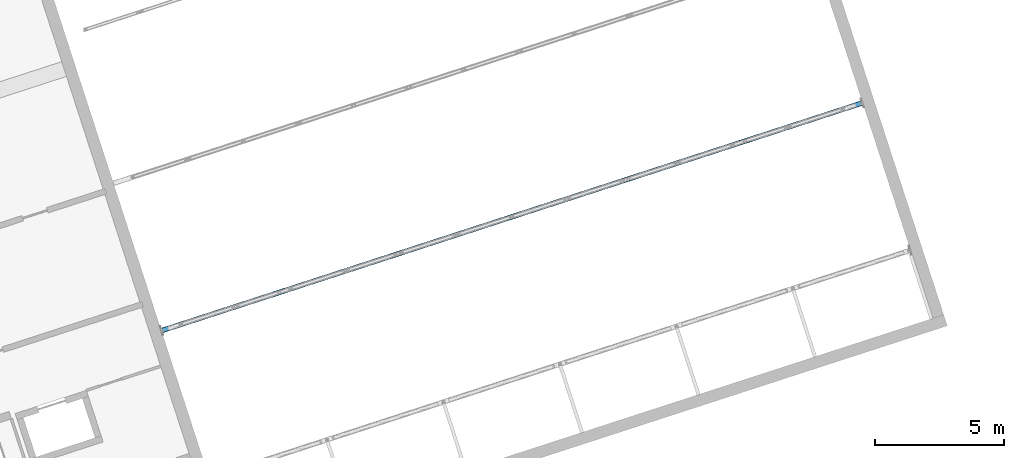
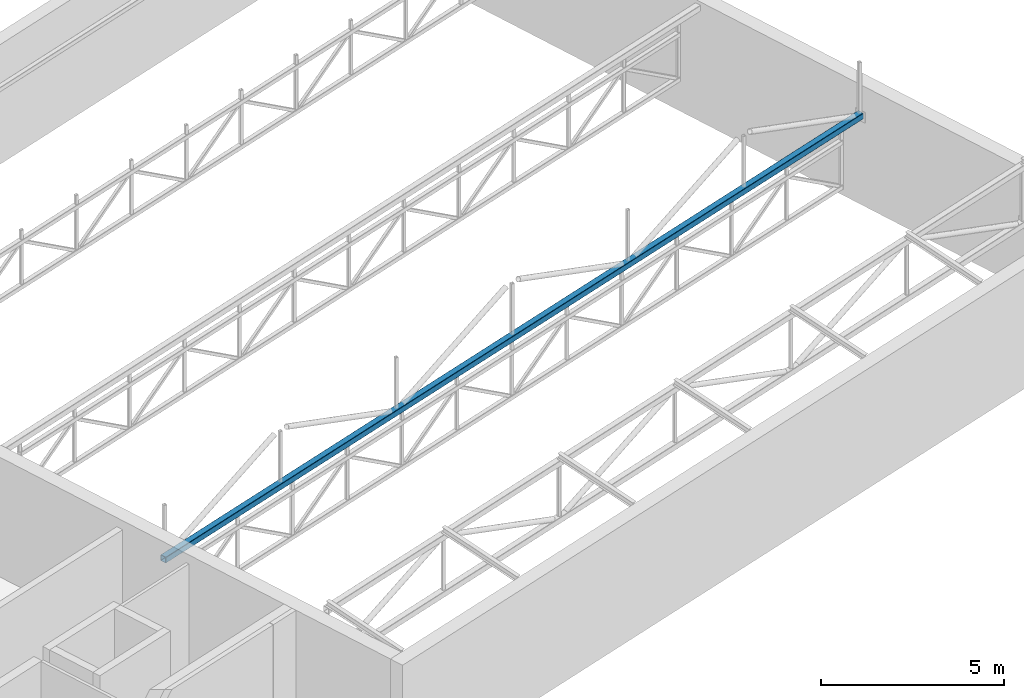
# One storey, part 12 of 81: 1 member.
"""IFC4 building model written with IfcOpenShell, lengths in metres."""

from ifc_helpers import new_model, si_unit, direction, frame, origin, origin_2d, place, context, subcontext, project, spatial, hollow_rectangle, extrude, material, material_profile, profile_set, type_object, element, save


model = new_model("IFC4")

# Units and contexts
model_context = context("Model", 3, precision=1e-05, world=origin(), true_north=direction((0.0, 1.0)))
body_context = subcontext(model_context, "Body", "Model", "MODEL_VIEW")
ifc_project = project(units=[si_unit("LENGTHUNIT", "METRE"), si_unit("AREAUNIT", "SQUARE_METRE"), si_unit("VOLUMEUNIT", "CUBIC_METRE"), si_unit("PLANEANGLEUNIT", "RADIAN"), si_unit("MASSUNIT", "GRAM", prefix="KILO")], contexts=[model_context])

# Site, building, storey
site_placement = place(None, origin())
site = spatial("IfcSite", under=ifc_project, at=site_placement, CompositionType="ELEMENT")
building_placement = place(site_placement, origin())
building = spatial("IfcBuilding", under=site, at=building_placement, Name="Tuart Plaza Theatre", CompositionType="ELEMENT")
storey_placement = place(building_placement, frame((0.0, 0.0, 17.5)))
storey = spatial("IfcBuildingStorey", under=building, at=storey_placement, Name="L04", CompositionType="ELEMENT", Elevation=17.5)

# Member
ifc_material = material(Name="Steel Grade C350L0", Category="steel")
ifc_material_profile = material_profile(ifc_material, hollow_rectangle(XDim=0.199951171875, YDim=0.199951171875, WallThickness=0.010009765625, InnerFilletRadius=0.010009765625, OuterFilletRadius=0.02001953125, at=origin_2d()), Name="200x200x10 SHS")
ifc_profile_set = profile_set([ifc_material_profile], Name="Steel Grade C350L0")
member_type = type_object("IfcMemberType", Name="MEMBER Chord 200x200x10 SHS", PredefinedType="CHORD", material=ifc_profile_set)
member_placement = place(storey_placement, frame((47.432861328125, 50.629150390625, 2.99951171875), z_axis=(0.951058008754, 0.309012401021, 0.0), x_axis=(-0.309012401021, 0.951058008754, 0.0)))
element("IfcMember", 1, at=member_placement, inside=storey, type_object=member_type, Name="CH3", PredefinedType="CHORD", context=body_context, shape_type="SweptSolid", body=[
    extrude(hollow_rectangle(XDim=0.199951171875, YDim=0.199951171875, WallThickness=0.010009765625, InnerFilletRadius=0.010009765625, OuterFilletRadius=0.02001953125, at=origin_2d()), origin(), (0.0, 0.0, 1.0), 28.5498046875),
])

save(model, "model.ifc")
